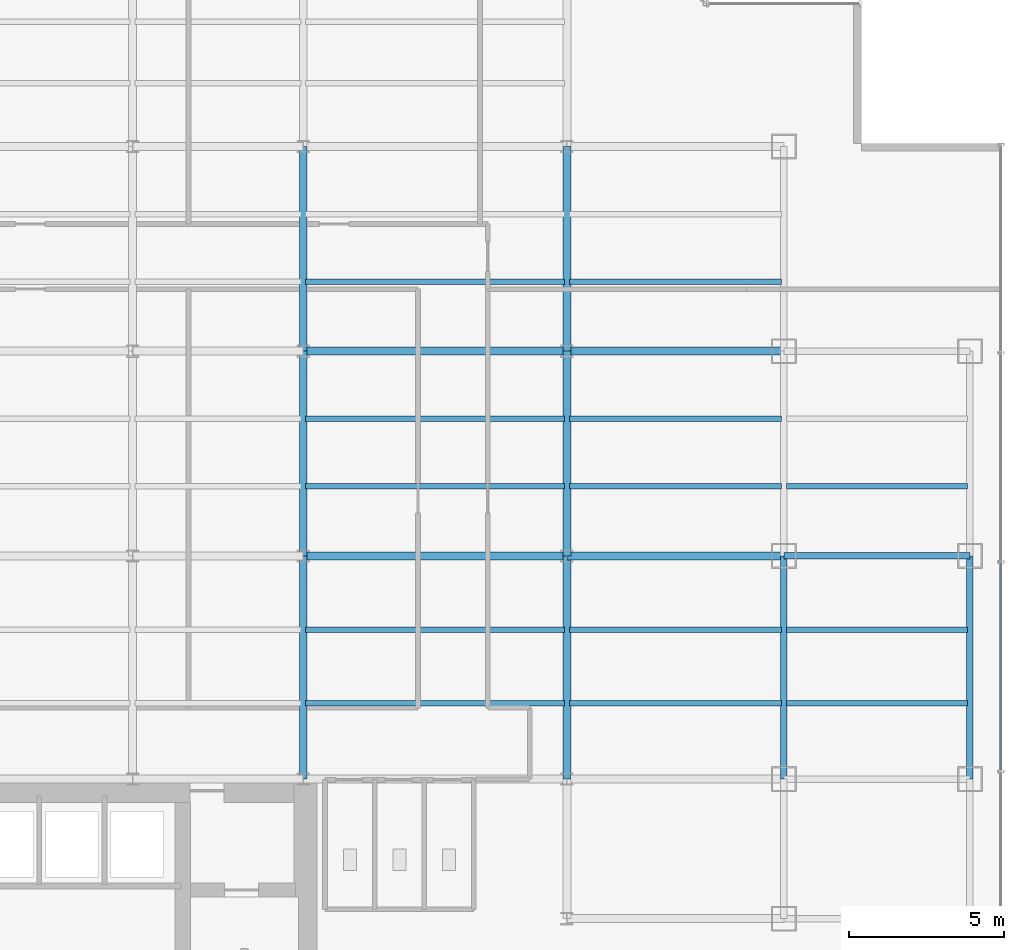
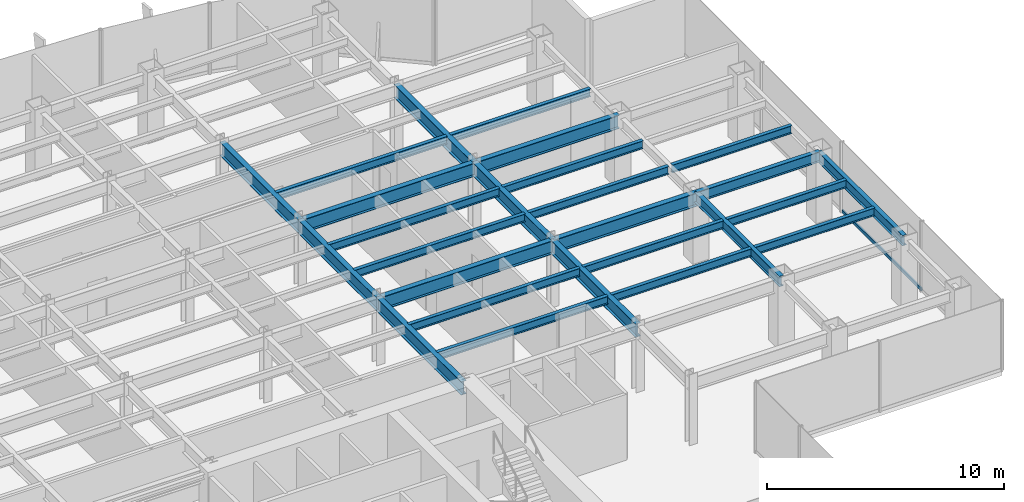
# One storey, part 11 of 26: 26 beams, 1 member, 1 element without a shape of its own.
"""IFC4 building model written with IfcOpenShell, lengths in metres."""

from ifc_helpers import new_model, si_unit, derived_unit, direction, frame, origin, origin_2d, place, context, subcontext, project, spatial, hollow_rectangle, i_section, extrude, source, transform, mapped, material, material_profile, profile_set, type_object, element, aggregate, save


model = new_model("IFC4")

# Units and contexts
model_context = context("Model", 3, precision=1e-05, world=origin(), true_north=direction((0.0, 1.0)))
body_context = subcontext(model_context, "Body", "Model", "MODEL_VIEW")
ifc_project = project(units=[si_unit("LENGTHUNIT", "METRE"), si_unit("AREAUNIT", "SQUARE_METRE"), si_unit("VOLUMEUNIT", "CUBIC_METRE"), si_unit("PLANEANGLEUNIT", "RADIAN"), si_unit("MASSUNIT", "GRAM", prefix="KILO"), derived_unit("THERMALTRANSMITTANCEUNIT", [(si_unit("POWERUNIT", "WATT"), 1), (si_unit("LENGTHUNIT", "METRE"), -2), (si_unit("THERMODYNAMICTEMPERATUREUNIT", "KELVIN"), -1)])], contexts=[model_context])

# Site, building, storey
site_placement = place(None, origin())
site = spatial("IfcSite", under=ifc_project, at=site_placement, CompositionType="ELEMENT")
building_placement = place(site_placement, origin())
building = spatial("IfcBuilding", under=site, at=building_placement, Name="Skarnbrae Concourse Arena and Tower", CompositionType="ELEMENT")
storey_placement = place(building_placement, frame((0.0, 0.0, 121.5)))
storey = spatial("IfcBuildingStorey", under=building, at=storey_placement, Name="L30", CompositionType="ELEMENT", Elevation=121.5)

# Beams
ifc_material_1 = material(Name="Steel CSA G40.21 350W", Category="steel")
ifc_material_profile_1 = material_profile(ifc_material_1, i_section(OverallWidth=0.256103515625, OverallDepth=0.693115234375, WebThickness=0.014404296875, FlangeThickness=0.023681640625, at=origin_2d()), Name="W690X170")
ifc_profile_set_1 = profile_set([ifc_material_profile_1], Name="Steel CSA G40.21 350W")
beam_type_1 = type_object("IfcBeamType", Name="BM-GIRD-W690X170", PredefinedType="BEAM", material=ifc_profile_set_1)
shared_shape_1 = source(origin(), body_context, "Body", "SweptSolid", [
    extrude(i_section(OverallWidth=0.256103515625, OverallDepth=0.693115234375, WebThickness=0.014404296875, FlangeThickness=0.023681640625, at=origin_2d()), origin(), (0.0, 0.0, 1.0), 7.0),
])
for number, where, z_axis, x_axis, name in (
    (1, (42.0, 21.199951171875, 3.053466796875), (1.0, 0.0, 0.0), (0.0, 1.0, 0.0), "L30 Primary E-W girder Y21.2-7"),
    (2, (42.0, 27.800048828125, 3.053466796875), (1.0, 0.0, 0.0), (0.0, 1.0, 0.0), "L30 Primary E-W girder Y27.8-7"),
):
    element("IfcBeam", number, at=place(storey_placement, frame(where, z_axis=z_axis, x_axis=x_axis)), inside=storey, type_object=beam_type_1, Name=name, PredefinedType="BEAM", context=body_context, shape_type="MappedRepresentation", body=[
        mapped(shared_shape_1, transform((0.0, 0.0, 0.0))),
    ])
ifc_material_profile_2 = material_profile(ifc_material_1, i_section(OverallWidth=0.208984375, OverallDepth=0.532958984375, WebThickness=0.01025390625, FlangeThickness=0.015625, at=origin_2d()), Name="W530X92")
ifc_profile_set_2 = profile_set([ifc_material_profile_2], Name="Steel CSA G40.21 350W")
beam_type_2 = type_object("IfcBeamType", Name="BM-SPAN-W530X92", PredefinedType="SPANDREL", material=ifc_profile_set_2)
shared_shape_2 = source(origin(), body_context, "Body", "SweptSolid", [
    extrude(i_section(OverallWidth=0.208984375, OverallDepth=0.532958984375, WebThickness=0.01025390625, FlangeThickness=0.015625, at=origin_2d()), origin(), (0.0, 0.0, 1.0), 6.0),
])
beam_placement = place(storey_placement, frame((49.0, 21.199951171875, 3.133544921875), z_axis=(1.0, 0.0, 0.0), x_axis=(0.0, 1.0, 0.0)))
element("IfcBeam", 3, at=beam_placement, inside=storey, type_object=beam_type_2, Name="L30 Perimeter spandrel Y21.2-8", PredefinedType="SPANDREL", context=body_context, shape_type="MappedRepresentation", body=[
    mapped(shared_shape_2, transform((0.0, 0.0, 0.0))),
])
shared_shape_3 = source(origin(), body_context, "Body", "SweptSolid", [
    extrude(i_section(OverallWidth=0.256103515625, OverallDepth=0.693115234375, WebThickness=0.014404296875, FlangeThickness=0.023681640625, at=origin_2d()), origin(), (0.0, 0.0, 1.0), 6.60009765625),
])
for number, where, z_axis, x_axis, name in (
    (4, (33.5, 21.199951171875, 3.053466796875), (0.0, 1.0, 0.0), (-1.0, 0.0, 0.0), "L30 Primary N-S girder X33.5-2"),
    (5, (42.0, 21.199951171875, 3.053466796875), (0.0, 1.0, 0.0), (-1.0, 0.0, 0.0), "L30 Primary N-S girder X42.0-3"),
):
    element("IfcBeam", number, at=place(storey_placement, frame(where, z_axis=z_axis, x_axis=x_axis)), inside=storey, type_object=beam_type_1, Name=name, PredefinedType="BEAM", context=body_context, shape_type="MappedRepresentation", body=[
        mapped(shared_shape_3, transform((0.0, 0.0, 0.0))),
    ])
shared_shape_4 = source(origin(), body_context, "Body", "SweptSolid", [
    extrude(i_section(OverallWidth=0.256103515625, OverallDepth=0.693115234375, WebThickness=0.014404296875, FlangeThickness=0.023681640625, at=origin_2d()), origin(), (0.0, 0.0, 1.0), 8.5),
])
for number, where, z_axis, x_axis, name in (
    (6, (33.5, 21.199951171875, 3.053466796875), (1.0, 0.0, 0.0), (0.0, 1.0, 0.0), "L30 Primary E-W girder Y21.2-6"),
    (7, (33.5, 27.800048828125, 3.053466796875), (1.0, 0.0, 0.0), (0.0, 1.0, 0.0), "L30 Primary E-W girder Y27.8-6"),
):
    element("IfcBeam", number, at=place(storey_placement, frame(where, z_axis=z_axis, x_axis=x_axis)), inside=storey, type_object=beam_type_1, Name=name, PredefinedType="BEAM", context=body_context, shape_type="MappedRepresentation", body=[
        mapped(shared_shape_4, transform((0.0, 0.0, 0.0))),
    ])
shared_shape_5 = source(origin(), body_context, "Body", "SweptSolid", [
    extrude(i_section(OverallWidth=0.208984375, OverallDepth=0.532958984375, WebThickness=0.01025390625, FlangeThickness=0.015625, at=origin_2d()), origin(), (0.0, 0.0, 1.0), 7.199951171875),
])
for number, where, z_axis, x_axis, name in (
    (8, (49.0, 14.0, 3.133544921875), (0.0, 1.0, 0.0), (-1.0, 0.0, 0.0), "L30 Perimeter spandrel X49.0-2"),
    (9, (55.0, 14.0, 3.133544921875), (0.0, 1.0, 0.0), (-1.0, 0.0, 0.0), "L30 Perimeter spandrel X55.0-2"),
):
    element("IfcBeam", number, at=place(storey_placement, frame(where, z_axis=z_axis, x_axis=x_axis)), inside=storey, type_object=beam_type_2, Name=name, PredefinedType="SPANDREL", context=body_context, shape_type="MappedRepresentation", body=[
        mapped(shared_shape_5, transform((0.0, 0.0, 0.0))),
    ])
shared_shape_6 = source(origin(), body_context, "Body", "SweptSolid", [
    extrude(i_section(OverallWidth=0.256103515625, OverallDepth=0.693115234375, WebThickness=0.014404296875, FlangeThickness=0.023681640625, at=origin_2d()), origin(), (0.0, 0.0, 1.0), 7.199951171875),
])
for number, where, z_axis, x_axis, name in (
    (10, (33.5, 14.0, 3.053466796875), (0.0, 1.0, 0.0), (-1.0, 0.0, 0.0), "L30 Primary N-S girder X33.5-1"),
    (11, (42.0, 14.0, 3.053466796875), (0.0, 1.0, 0.0), (-1.0, 0.0, 0.0), "L30 Primary N-S girder X42.0-2"),
):
    element("IfcBeam", number, at=place(storey_placement, frame(where, z_axis=z_axis, x_axis=x_axis)), inside=storey, type_object=beam_type_1, Name=name, PredefinedType="BEAM", context=body_context, shape_type="MappedRepresentation", body=[
        mapped(shared_shape_6, transform((0.0, 0.0, 0.0))),
    ])
shared_shape_7 = source(origin(), body_context, "Body", "SweptSolid", [
    extrude(i_section(OverallWidth=0.256103515625, OverallDepth=0.693115234375, WebThickness=0.014404296875, FlangeThickness=0.023681640625, at=origin_2d()), origin(), (0.0, 0.0, 1.0), 6.599853515625),
])
for number, where, z_axis, x_axis, name in (
    (12, (33.5, 27.800048828125, 3.053466796875), (0.0, 1.0, 0.0), (-1.0, 0.0, 0.0), "L30 Primary N-S girder X33.5-3"),
    (13, (42.0, 27.800048828125, 3.053466796875), (0.0, 1.0, 0.0), (-1.0, 0.0, 0.0), "L30 Primary N-S girder X42.0-4"),
):
    element("IfcBeam", number, at=place(storey_placement, frame(where, z_axis=z_axis, x_axis=x_axis)), inside=storey, type_object=beam_type_1, Name=name, PredefinedType="BEAM", context=body_context, shape_type="MappedRepresentation", body=[
        mapped(shared_shape_7, transform((0.0, 0.0, 0.0))),
    ])
ifc_material_profile_3 = material_profile(ifc_material_1, i_section(OverallWidth=0.177978515625, OverallDepth=0.406982421875, WebThickness=0.0078125, FlangeThickness=0.0126953125, at=origin_2d()), Name="W410X60")
ifc_profile_set_3 = profile_set([ifc_material_profile_3], Name="Steel CSA G40.21 350W")
beam_type_3 = type_object("IfcBeamType", Name="BM-JOIST-W410X60", PredefinedType="JOIST", material=ifc_profile_set_3)
shared_shape_8 = source(origin(), body_context, "Body", "SweptSolid", [
    extrude(i_section(OverallWidth=0.177978515625, OverallDepth=0.406982421875, WebThickness=0.0078125, FlangeThickness=0.0126953125, at=origin_2d()), origin(), (0.0, 0.0, 1.0), 8.33984375),
])
for number, where, z_axis, x_axis, name in (
    (14, (33.580078125, 16.447998046875, 3.196533203125), (1.0, 0.0, 0.0), (0.0, 1.0, 0.0), "L30 Secondary floor joist 1.1.6"),
    (15, (33.580078125, 18.823974609375, 3.196533203125), (1.0, 0.0, 0.0), (0.0, 1.0, 0.0), "L30 Secondary floor joist 1.2.6"),
    (16, (33.580078125, 23.444091796875, 3.196533203125), (1.0, 0.0, 0.0), (0.0, 1.0, 0.0), "L30 Secondary floor joist 2.1.6"),
    (17, (33.580078125, 25.6220703125, 3.196533203125), (1.0, 0.0, 0.0), (0.0, 1.0, 0.0), "L30 Secondary floor joist 2.2.6"),
    (18, (33.580078125, 30.0439453125, 3.196533203125), (1.0, 0.0, 0.0), (0.0, 1.0, 0.0), "L30 Secondary floor joist 3.1.5"),
):
    element("IfcBeam", number, at=place(storey_placement, frame(where, z_axis=z_axis, x_axis=x_axis)), inside=storey, type_object=beam_type_3, Name=name, PredefinedType="JOIST", context=body_context, shape_type="MappedRepresentation", body=[
        mapped(shared_shape_8, transform((0.0, 0.0, 0.0))),
    ])
shared_shape_9 = source(origin(), body_context, "Body", "SweptSolid", [
    extrude(i_section(OverallWidth=0.177978515625, OverallDepth=0.406982421875, WebThickness=0.0078125, FlangeThickness=0.0126953125, at=origin_2d()), origin(), (0.0, 0.0, 1.0), 6.83984375),
])
for number, where, z_axis, x_axis, name in (
    (19, (42.080078125, 16.447998046875, 3.196533203125), (1.0, 0.0, 0.0), (0.0, 1.0, 0.0), "L30 Secondary floor joist 1.1.7"),
    (20, (42.080078125, 18.823974609375, 3.196533203125), (1.0, 0.0, 0.0), (0.0, 1.0, 0.0), "L30 Secondary floor joist 1.2.7"),
    (21, (42.080078125, 23.444091796875, 3.196533203125), (1.0, 0.0, 0.0), (0.0, 1.0, 0.0), "L30 Secondary floor joist 2.1.7"),
    (22, (42.080078125, 25.6220703125, 3.196533203125), (1.0, 0.0, 0.0), (0.0, 1.0, 0.0), "L30 Secondary floor joist 2.2.7"),
    (23, (42.080078125, 30.0439453125, 3.196533203125), (1.0, 0.0, 0.0), (0.0, 1.0, 0.0), "L30 Secondary floor joist 3.1.6"),
):
    element("IfcBeam", number, at=place(storey_placement, frame(where, z_axis=z_axis, x_axis=x_axis)), inside=storey, type_object=beam_type_3, Name=name, PredefinedType="JOIST", context=body_context, shape_type="MappedRepresentation", body=[
        mapped(shared_shape_9, transform((0.0, 0.0, 0.0))),
    ])
shared_shape_10 = source(origin(), body_context, "Body", "SweptSolid", [
    extrude(i_section(OverallWidth=0.177978515625, OverallDepth=0.406982421875, WebThickness=0.0078125, FlangeThickness=0.0126953125, at=origin_2d()), origin(), (0.0, 0.0, 1.0), 5.83984375),
])
for number, where, z_axis, x_axis, name in (
    (24, (49.080078125, 16.447998046875, 3.196533203125), (1.0, 0.0, 0.0), (0.0, 1.0, 0.0), "L30 Secondary floor joist 1.1.8"),
    (25, (49.080078125, 18.823974609375, 3.196533203125), (1.0, 0.0, 0.0), (0.0, 1.0, 0.0), "L30 Secondary floor joist 1.2.8"),
    (26, (49.080078125, 23.444091796875, 3.196533203125), (1.0, 0.0, 0.0), (0.0, 1.0, 0.0), "L30 Secondary floor joist 2.1.8"),
):
    element("IfcBeam", number, at=place(storey_placement, frame(where, z_axis=z_axis, x_axis=x_axis)), inside=storey, type_object=beam_type_3, Name=name, PredefinedType="JOIST", context=body_context, shape_type="MappedRepresentation", body=[
        mapped(shared_shape_10, transform((0.0, 0.0, 0.0))),
    ])

# Curtain wall, member
ifc_material_2 = material(Name="Bronze anodised aluminium 6063-T6", Category="aluminium")
curtain_wall_type = type_object("IfcCurtainWallType", Name="CW-SYS-04-MIDZONE", PredefinedType="USERDEFINED", material=ifc_material_2)
curtain_wall_placement = place(storey_placement, origin())
curtain_wall = element("IfcCurtainWall", 27, at=curtain_wall_placement, inside=storey, type_object=curtain_wall_type, Name="L30 Unitised curtain wall CW-L30-E04", ObjectType="UNITISED CURTAIN WALL", PredefinedType="USERDEFINED")
ifc_material_profile_4 = material_profile(ifc_material_2, hollow_rectangle(XDim=0.074951171875, YDim=0.159912109375, WallThickness=0.00439453125, at=origin_2d()), Name="ALU-TRAN-75X160")
ifc_profile_set_4 = profile_set([ifc_material_profile_4], Name="Bronze anodised aluminium 6063-T6")
member_type = type_object("IfcMemberType", Name="CWT-CW-04", PredefinedType="USERDEFINED", material=ifc_profile_set_4)
shared_shape_11 = source(origin(), body_context, "Body", "SweptSolid", [
    extrude(hollow_rectangle(XDim=0.074951171875, YDim=0.159912109375, WallThickness=0.00439453125, at=origin_2d()), origin(), (0.0, 0.0, 1.0), 6.6748046875),
])
member_placement = place(storey_placement, frame((56.0, 14.28759765625, 0.080078125), z_axis=(0.0, 1.0, 0.0), x_axis=(-1.0, 0.0, 0.0)))
member = element("IfcMember", 28, at=member_placement, type_object=member_type, Name="CW-L30-E04 Transom 2", ObjectType="TRANSOM", PredefinedType="USERDEFINED", context=body_context, shape_type="MappedRepresentation", body=[
    mapped(shared_shape_11, transform((0.0, 0.0, 0.0))),
])
aggregate(curtain_wall, [member])

save(model, "model.ifc")
